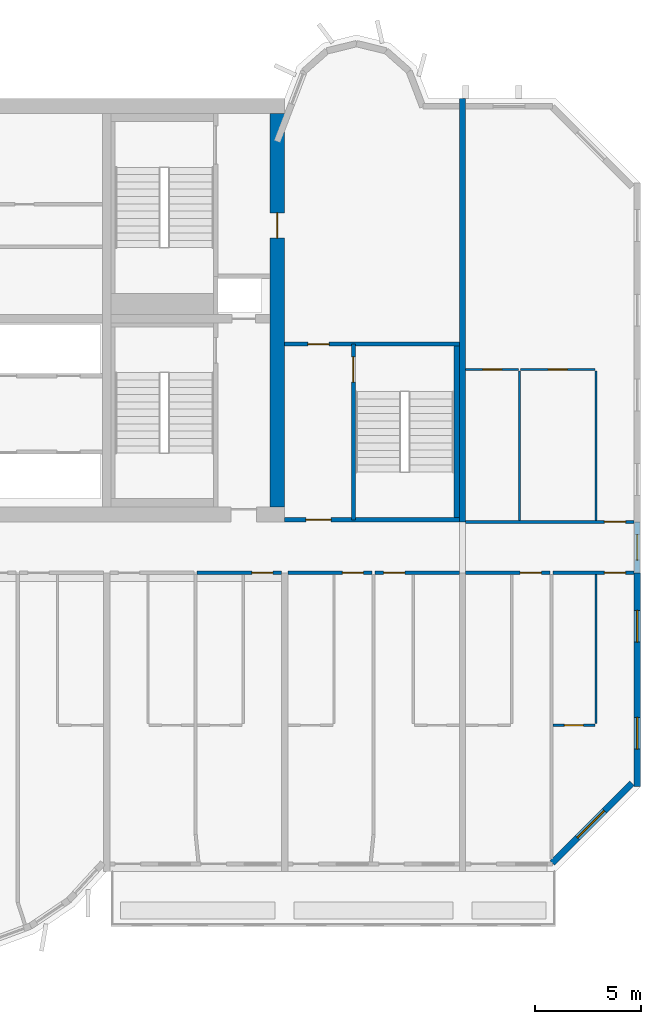
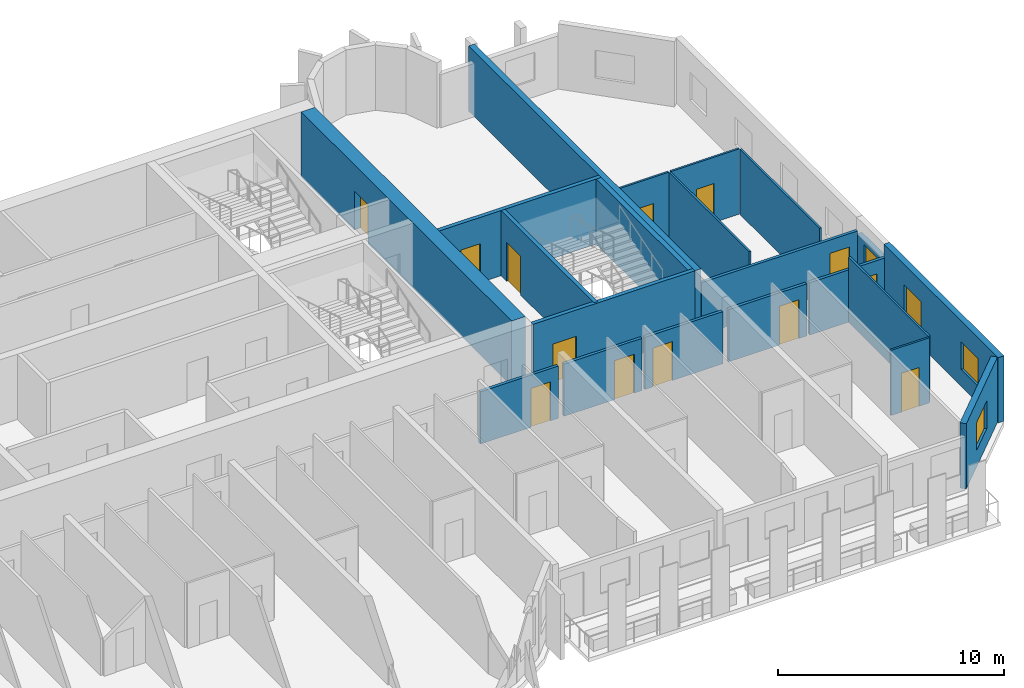
# One storey, part 9 of 13: 21 walls, 13 doors, 4 windows, 17 openings.
"""IFC4 building model written with IfcOpenShell, lengths in metres."""

from ifc_helpers import new_model, si_unit, direction, frame, frame_2d, origin, place, context, subcontext, project, spatial, rectangle, extrude, source, transform, mapped, material, layer, layer_set, type_object, element, fill, save


model = new_model("IFC4")

# Units and contexts
model_context = context("Model", 3, precision=1e-05, world=origin(), true_north=direction((0.0, 1.0)))
body_context = subcontext(model_context, "Body", "Model", "MODEL_VIEW")
ifc_project = project(units=[si_unit("LENGTHUNIT", "METRE"), si_unit("AREAUNIT", "SQUARE_METRE"), si_unit("VOLUMEUNIT", "CUBIC_METRE"), si_unit("PLANEANGLEUNIT", "RADIAN"), si_unit("MASSUNIT", "GRAM", prefix="KILO")], contexts=[model_context])

# Site, building, storey
site_placement = place(None, origin())
site = spatial("IfcSite", under=ifc_project, at=site_placement, CompositionType="ELEMENT")
building_placement = place(site_placement, origin())
building = spatial("IfcBuilding", under=site, at=building_placement, Name="Vanashikhar Sky Hotel", CompositionType="ELEMENT")
storey_placement = place(building_placement, frame((0.0, 0.0, 182.0)))
storey = spatial("IfcBuildingStorey", under=building, at=storey_placement, Name="L44", CompositionType="ELEMENT", Elevation=182.0)

# Wall, opening, door
ifc_material_1 = material(Name="Concrete M60", Category="concrete")
ifc_layer_1 = layer(ifc_material_1, 0.699951171875)
ifc_layer_set_1 = layer_set([ifc_layer_1], Name="RC core shell wall 700 Concrete M60")
wall_type_1 = type_object("IfcWallType", Name="RC core shell wall 700 Concrete M60", PredefinedType="SHEAR", material=ifc_layer_set_1)
shared_shape_1 = source(origin(), body_context, "Body", "SweptSolid", [
    extrude(rectangle(XDim=18.60009765625, YDim=0.699951171875, at=frame_2d((9.300048828125, 0.0))), origin(), (0.0, 0.0, 1.0), 3.52001953125),
])
wall_1_placement = place(storey_placement, frame((75.25, 22.699951171875, 0.0), z_axis=(0.0, 0.0, 1.0), x_axis=(0.0, 1.0, 0.0)))
wall_1 = element("IfcWall", 1, at=wall_1_placement, inside=storey, type_object=wall_type_1, Name="KW-L44-KE", PredefinedType="SHEAR", context=body_context, shape_type="MappedRepresentation", body=[
    mapped(shared_shape_1, transform((0.0, 0.0, 0.0), scale=1.0)),
])
shared_shape_2 = source(origin(), body_context, "Body", "SweptSolid", [
    extrude(rectangle(XDim=1.199951171875, YDim=2.10009765625, at=frame_2d((0.60009765625, 1.050048828125))), frame((0.0, 0.35986328125, 0.0), z_axis=(0.0, -1.0, 0.0), x_axis=(1.0, 0.0, 0.0)), (0.0, 0.0, 1.0), 0.719970703125),
])
opening_1_placement = place(wall_1_placement, frame((12.699951171875, 0.0, 0.0)))
opening_1 = element("IfcOpeningElement", 2, at=opening_1_placement, cuts=wall_1, Name="Opening DC-4-D", PredefinedType="OPENING", context=body_context, shape_type="MappedRepresentation", body=[
    mapped(shared_shape_2, transform((0.0, 0.0, 0.0), scale=1.0)),
])
ifc_material_2 = material(Name="Steel", Category="steel")
door_type_1 = type_object("IfcDoorType", Name="Service door 1200 FD120", OperationType="NOTDEFINED", PredefinedType="DOOR", material=ifc_material_2)
shared_shape_3 = source(origin(), body_context, "Body", "SweptSolid", [
    extrude(rectangle(XDim=1.199951171875, YDim=2.10009765625, at=frame_2d((0.60009765625, 1.050048828125))), frame((0.0, 0.02490234375, 0.0), z_axis=(0.0, -1.0, 0.0), x_axis=(1.0, 0.0, 0.0)), (0.0, 0.0, 1.0), 0.050048828125),
])
door_1_placement = place(opening_1_placement, origin())
door_1 = element("IfcDoor", 3, at=door_1_placement, inside=storey, type_object=door_type_1, Name="Service door 1200 FD120", OperationType="SINGLE_SWING_LEFT", OverallHeight=2.10009765625, OverallWidth=1.199951171875, PredefinedType="DOOR", context=body_context, shape_type="MappedRepresentation", body=[
    mapped(shared_shape_3, transform((0.0, 0.0, 0.0), scale=1.0)),
])
fill(opening_1, door_1)

# Wall, openings, windows
ifc_layer_2 = layer(ifc_material_1, 0.300048828125)
ifc_layer_set_2 = layer_set([ifc_layer_2], Name="RC shear wall 300 Concrete M60")
wall_type_2 = type_object("IfcWallType", Name="RC shear wall 300 Concrete M60", PredefinedType="SHEAR", material=ifc_layer_set_2)
shared_shape_4 = source(origin(), body_context, "Body", "SweptSolid", [
    extrude(rectangle(XDim=10.10009765625, YDim=0.300048828125, at=frame_2d((5.050048828125, 0.0))), origin(), (0.0, 0.0, 1.0), 3.52001953125),
])
wall_2_placement = place(storey_placement, frame((92.25, 9.5, 0.0), z_axis=(0.0, 0.0, 1.0), x_axis=(0.0, 1.0, 0.0)))
wall_2 = element("IfcWall", 4, at=wall_2_placement, inside=storey, type_object=wall_type_2, Name="CW-L44-XW12-1", PredefinedType="SHEAR", context=body_context, shape_type="MappedRepresentation", body=[
    mapped(shared_shape_4, transform((0.0, 0.0, 0.0), scale=1.0)),
])
shared_shape_5 = source(origin(), body_context, "Body", "SweptSolid", [
    extrude(rectangle(XDim=1.5, YDim=1.5, at=frame_2d((0.75, 0.75))), frame((0.0, 0.16015625, 0.0), z_axis=(0.0, -1.0, 0.0), x_axis=(1.0, 0.0, 0.0)), (0.0, 0.0, 1.0), 0.320068359375),
])
opening_2_placement = place(wall_2_placement, frame((1.77490234375, 0.0, 0.89990234375)))
opening_2 = element("IfcOpeningElement", 5, at=opening_2_placement, cuts=wall_2, Name="Opening WN-1", PredefinedType="OPENING", context=body_context, shape_type="MappedRepresentation", body=[
    mapped(shared_shape_5, transform((0.0, 0.0, 0.0), scale=1.0)),
])
opening_3_placement = place(wall_2_placement, frame((6.824951171875, 0.0, 0.89990234375)))
opening_3 = element("IfcOpeningElement", 6, at=opening_3_placement, cuts=wall_2, Name="Opening WN-1", PredefinedType="OPENING", context=body_context, shape_type="MappedRepresentation", body=[
    mapped(shared_shape_5, transform((0.0, 0.0, 0.0), scale=1.0)),
])
ifc_material_3 = material(Name="Glass", Category="glass")
window_type_1 = type_object("IfcWindowType", Name="Window 1500 x 1500", PartitioningType="SINGLE_PANEL", PredefinedType="WINDOW", material=ifc_material_3)
shared_shape_6 = source(origin(), body_context, "Body", "SweptSolid", [
    extrude(rectangle(XDim=1.5, YDim=1.5, at=frame_2d((0.75, 0.75))), frame((0.0, 0.030029296875, 0.0), z_axis=(0.0, -1.0, 0.0), x_axis=(1.0, 0.0, 0.0)), (0.0, 0.0, 1.0), 0.06005859375),
])
window_1_placement = place(opening_2_placement, origin())
window_1 = element("IfcWindow", 7, at=window_1_placement, inside=storey, type_object=window_type_1, Name="Window WN-1", OverallHeight=1.5, OverallWidth=1.5, PartitioningType="SINGLE_PANEL", PredefinedType="WINDOW", context=body_context, shape_type="MappedRepresentation", body=[
    mapped(shared_shape_6, transform((0.0, 0.0, 0.0), scale=1.0)),
])
fill(opening_2, window_1)
window_2_placement = place(opening_3_placement, origin())
window_2 = element("IfcWindow", 8, at=window_2_placement, inside=storey, type_object=window_type_1, Name="Window WN-1", OverallHeight=1.5, OverallWidth=1.5, PartitioningType="SINGLE_PANEL", PredefinedType="WINDOW", context=body_context, shape_type="MappedRepresentation", body=[
    mapped(shared_shape_6, transform((0.0, 0.0, 0.0), scale=1.0)),
])
fill(opening_3, window_2)

# Wall
shared_shape_7 = source(origin(), body_context, "Body", "SweptSolid", [
    extrude(rectangle(XDim=20.0, YDim=0.300048828125, at=frame_2d((10.0, 0.0))), origin(), (0.0, 0.0, 1.0), 3.52001953125),
])
wall_3_placement = place(storey_placement, frame((84.0, 22.0, 0.0), z_axis=(0.0, 0.0, 1.0), x_axis=(0.0, 1.0, 0.0)))
element("IfcWall", 9, at=wall_3_placement, inside=storey, type_object=wall_type_2, Name="CW-L44-XW11-2", PredefinedType="SHEAR", context=body_context, shape_type="MappedRepresentation", body=[
    mapped(shared_shape_7, transform((0.0, 0.0, 0.0), scale=1.0)),
])

# Wall, opening, window
ifc_material_4 = material(Name="Concrete M50", Category="concrete")
ifc_layer_3 = layer(ifc_material_4, 0.300048828125)
ifc_layer_set_3 = layer_set([ifc_layer_3], Name="Lobe wall 300")
wall_type_3 = type_object("IfcWallType", Name="Lobe wall 300", PredefinedType="SOLIDWALL", material=ifc_layer_set_3)
shared_shape_8 = source(origin(), body_context, "Body", "SweptSolid", [
    extrude(rectangle(XDim=5.32568359375, YDim=0.300048828125, at=frame_2d((2.662841796875, 0.0))), origin(), (0.0, 0.0, 1.0), 3.52001953125),
])
wall_4_placement = place(storey_placement, frame((88.234375, 5.89990234375, 0.0), z_axis=(0.0, 0.0, 1.0), x_axis=(0.707083859269, 0.707129702361, 0.0)))
wall_4 = element("IfcWall", 10, at=wall_4_placement, inside=storey, type_object=wall_type_3, Name="Corner wall", PredefinedType="SOLIDWALL", context=body_context, shape_type="MappedRepresentation", body=[
    mapped(shared_shape_8, transform((0.0, 0.0, 0.0), scale=1.0)),
])
shared_shape_9 = source(origin(), body_context, "Body", "SweptSolid", [
    extrude(rectangle(XDim=1.800048828125, YDim=1.5, at=frame_2d((0.89990234375, 0.75))), frame((0.0, 0.16015625, 0.0), z_axis=(0.0, -1.0, 0.0), x_axis=(1.0, 0.0, 0.0)), (0.0, 0.0, 1.0), 0.320068359375),
])
opening_4_placement = place(wall_4_placement, frame((1.689453125, 0.0, 0.89990234375)))
opening_4 = element("IfcOpeningElement", 11, at=opening_4_placement, cuts=wall_4, Name="Opening WN-4", PredefinedType="OPENING", context=body_context, shape_type="MappedRepresentation", body=[
    mapped(shared_shape_9, transform((0.0, 0.0, 0.0), scale=1.0)),
])
window_type_2 = type_object("IfcWindowType", Name="Corner window 1800 x 1500", PartitioningType="SINGLE_PANEL", PredefinedType="WINDOW", material=ifc_material_3)
shared_shape_10 = source(origin(), body_context, "Body", "SweptSolid", [
    extrude(rectangle(XDim=1.800048828125, YDim=1.5, at=frame_2d((0.89990234375, 0.75))), frame((0.0, 0.030029296875, 0.0), z_axis=(0.0, -1.0, 0.0), x_axis=(1.0, 0.0, 0.0)), (0.0, 0.0, 1.0), 0.06005859375),
])
window_3_placement = place(opening_4_placement, origin())
window_3 = element("IfcWindow", 12, at=window_3_placement, inside=storey, type_object=window_type_2, Name="Window WN-4", OverallHeight=1.5, OverallWidth=1.800048828125, PartitioningType="SINGLE_PANEL", PredefinedType="WINDOW", context=body_context, shape_type="MappedRepresentation", body=[
    mapped(shared_shape_10, transform((0.0, 0.0, 0.0), scale=1.0)),
])
fill(opening_4, window_3)

ifc_layer_4 = layer(ifc_material_4, 0.25)
ifc_layer_set_4 = layer_set([ifc_layer_4], Name="Rear and end board-marked wall 250")
wall_type_4 = type_object("IfcWallType", Name="Rear and end board-marked wall 250", PredefinedType="SOLIDWALL", material=ifc_layer_set_4)
shared_shape_11 = source(origin(), body_context, "Body", "SweptSolid", [
    extrude(rectangle(XDim=2.39990234375, YDim=0.25, at=frame_2d((1.199951171875, 0.0))), origin(), (0.0, 0.0, 1.0), 2.6201171875),
])
wall_5_placement = place(storey_placement, frame((92.25, 19.60009765625, 0.0), z_axis=(0.0, 0.0, 1.0), x_axis=(0.0, 1.0, 0.0)))
wall_5 = element("IfcWall", 13, at=wall_5_placement, inside=storey, type_object=wall_type_4, Name="End corridor infill wall", PredefinedType="SOLIDWALL", context=body_context, shape_type="MappedRepresentation", body=[
    mapped(shared_shape_11, transform((0.0, 0.0, 0.0), scale=1.0)),
])
shared_shape_12 = source(origin(), body_context, "Body", "SweptSolid", [
    extrude(rectangle(XDim=1.199951171875, YDim=1.5, at=frame_2d((0.60009765625, 0.75))), frame((0.0, 0.135009765625, 0.0), z_axis=(0.0, -1.0, 0.0), x_axis=(1.0, 0.0, 0.0)), (0.0, 0.0, 1.0), 0.27001953125),
])
opening_5_placement = place(wall_5_placement, frame((0.60009765625, 0.0, 0.89990234375)))
opening_5 = element("IfcOpeningElement", 14, at=opening_5_placement, cuts=wall_5, Name="Opening WN-3", PredefinedType="OPENING", context=body_context, shape_type="MappedRepresentation", body=[
    mapped(shared_shape_12, transform((0.0, 0.0, 0.0), scale=1.0)),
])
window_type_3 = type_object("IfcWindowType", Name="Corridor end window 1200 x 1500", PartitioningType="SINGLE_PANEL", PredefinedType="WINDOW", material=ifc_material_3)
shared_shape_13 = source(origin(), body_context, "Body", "SweptSolid", [
    extrude(rectangle(XDim=1.199951171875, YDim=1.5, at=frame_2d((0.60009765625, 0.75))), frame((0.0, 0.030029296875, 0.0), z_axis=(0.0, -1.0, 0.0), x_axis=(1.0, 0.0, 0.0)), (0.0, 0.0, 1.0), 0.06005859375),
])
window_4_placement = place(opening_5_placement, origin())
window_4 = element("IfcWindow", 15, at=window_4_placement, inside=storey, type_object=window_type_3, Name="Window WN-3", OverallHeight=1.5, OverallWidth=1.199951171875, PartitioningType="SINGLE_PANEL", PredefinedType="WINDOW", context=body_context, shape_type="MappedRepresentation", body=[
    mapped(shared_shape_13, transform((0.0, 0.0, 0.0), scale=1.0)),
])
fill(opening_5, window_4)

# Wall, opening, door
ifc_layer_5 = layer(ifc_material_4, 0.199951171875)
ifc_layer_set_5 = layer_set([ifc_layer_5], Name="Stair wall 200")
wall_type_5 = type_object("IfcWallType", Name="Stair wall 200", PredefinedType="SOLIDWALL", material=ifc_layer_set_5)
shared_shape_14 = source(origin(), body_context, "Body", "SweptSolid", [
    extrude(rectangle(XDim=8.2998046875, YDim=0.199951171875, at=frame_2d((4.14990234375, 0.0))), origin(), (0.0, 0.0, 1.0), 3.52001953125),
])
wall_6_placement = place(storey_placement, frame((78.85009765625, 22.10009765625, 0.0), z_axis=(0.0, 0.0, 1.0), x_axis=(0.0, 1.0, 0.0)))
wall_6 = element("IfcWall", 16, at=wall_6_placement, inside=storey, type_object=wall_type_5, Name="Stair wall 200", PredefinedType="SOLIDWALL", context=body_context, shape_type="MappedRepresentation", body=[
    mapped(shared_shape_14, transform((0.0, 0.0, 0.0), scale=1.0)),
])
shared_shape_15 = source(origin(), body_context, "Body", "SweptSolid", [
    extrude(rectangle(XDim=1.199951171875, YDim=2.10009765625, at=frame_2d((0.60009765625, 1.050048828125))), frame((0.0, 0.10986328125, 0.0), z_axis=(0.0, -1.0, 0.0), x_axis=(1.0, 0.0, 0.0)), (0.0, 0.0, 1.0), 0.219970703125),
])
opening_6_placement = place(wall_6_placement, frame((6.5, 0.0, 0.0)))
opening_6 = element("IfcOpeningElement", 17, at=opening_6_placement, cuts=wall_6, Name="Opening DC-1", PredefinedType="OPENING", context=body_context, shape_type="MappedRepresentation", body=[
    mapped(shared_shape_15, transform((0.0, 0.0, 0.0), scale=1.0)),
])
door_type_2 = type_object("IfcDoorType", Name="Stair door 1200 FD120", OperationType="NOTDEFINED", PredefinedType="DOOR", material=ifc_material_2)
door_2_placement = place(opening_6_placement, origin())
door_2 = element("IfcDoor", 18, at=door_2_placement, inside=storey, type_object=door_type_2, Name="Stair door 1200 FD120", OperationType="SINGLE_SWING_LEFT", OverallHeight=2.10009765625, OverallWidth=1.199951171875, PredefinedType="DOOR", context=body_context, shape_type="MappedRepresentation", body=[
    mapped(shared_shape_3, transform((0.0, 0.0, 0.0), scale=1.0)),
])
fill(opening_6, door_2)

shared_shape_16 = source(origin(), body_context, "Body", "SweptSolid", [
    extrude(rectangle(XDim=8.25, YDim=0.199951171875, at=frame_2d((4.125, 0.0))), origin(), (0.0, 0.0, 1.0), 3.52001953125),
])
wall_7_placement = place(storey_placement, frame((83.85009765625, 22.10009765625, 0.0), z_axis=(0.0, 0.0, 1.0), x_axis=(-1.0, 0.0, 0.0)))
wall_7 = element("IfcWall", 19, at=wall_7_placement, inside=storey, type_object=wall_type_5, Name="Stair wall 200", PredefinedType="SOLIDWALL", context=body_context, shape_type="MappedRepresentation", body=[
    mapped(shared_shape_16, transform((0.0, 0.0, 0.0), scale=1.0)),
])
opening_7_placement = place(wall_7_placement, frame((6.050048828125, 0.0, 0.0)))
opening_7 = element("IfcOpeningElement", 20, at=opening_7_placement, cuts=wall_7, Name="Opening DC-2", PredefinedType="OPENING", context=body_context, shape_type="MappedRepresentation", body=[
    mapped(shared_shape_15, transform((0.0, 0.0, 0.0), scale=1.0)),
])
door_type_3 = type_object("IfcDoorType", Name="Firefighting lobby door 1200 FD120", OperationType="NOTDEFINED", PredefinedType="DOOR", material=ifc_material_2)
door_3_placement = place(opening_7_placement, origin())
door_3 = element("IfcDoor", 21, at=door_3_placement, inside=storey, type_object=door_type_3, Name="Firefighting lobby door 1200 FD120", OperationType="SINGLE_SWING_LEFT", OverallHeight=2.10009765625, OverallWidth=1.199951171875, PredefinedType="DOOR", context=body_context, shape_type="MappedRepresentation", body=[
    mapped(shared_shape_3, transform((0.0, 0.0, 0.0), scale=1.0)),
])
fill(opening_7, door_3)

wall_8_placement = place(storey_placement, frame((83.85009765625, 30.39990234375, 0.0), z_axis=(0.0, 0.0, 1.0), x_axis=(-1.0, 0.0, 0.0)))
wall_8 = element("IfcWall", 22, at=wall_8_placement, inside=storey, type_object=wall_type_5, Name="Stair wall 200", PredefinedType="SOLIDWALL", context=body_context, shape_type="MappedRepresentation", body=[
    mapped(shared_shape_16, transform((0.0, 0.0, 0.0), scale=1.0)),
])
shared_shape_17 = source(origin(), body_context, "Body", "SweptSolid", [
    extrude(rectangle(XDim=1.0, YDim=2.10009765625, at=frame_2d((0.5, 1.050048828125))), frame((0.0, 0.10986328125, 0.0), z_axis=(0.0, -1.0, 0.0), x_axis=(1.0, 0.0, 0.0)), (0.0, 0.0, 1.0), 0.219970703125),
])
opening_8_placement = place(wall_8_placement, frame((6.14990234375, 0.0, 0.0)))
opening_8 = element("IfcOpeningElement", 23, at=opening_8_placement, cuts=wall_8, Name="Opening DC-6", PredefinedType="OPENING", context=body_context, shape_type="MappedRepresentation", body=[
    mapped(shared_shape_17, transform((0.0, 0.0, 0.0), scale=1.0)),
])
door_type_4 = type_object("IfcDoorType", Name="Pocket door 1000 FD60", OperationType="NOTDEFINED", PredefinedType="DOOR", material=ifc_material_2)
shared_shape_18 = source(origin(), body_context, "Body", "SweptSolid", [
    extrude(rectangle(XDim=1.0, YDim=2.10009765625, at=frame_2d((0.5, 1.050048828125))), frame((0.0, 0.02490234375, 0.0), z_axis=(0.0, -1.0, 0.0), x_axis=(1.0, 0.0, 0.0)), (0.0, 0.0, 1.0), 0.050048828125),
])
door_4_placement = place(opening_8_placement, origin())
door_4 = element("IfcDoor", 24, at=door_4_placement, inside=storey, type_object=door_type_4, Name="Pocket door 1000 FD60", OperationType="SINGLE_SWING_LEFT", OverallHeight=2.10009765625, OverallWidth=1.0, PredefinedType="DOOR", context=body_context, shape_type="MappedRepresentation", body=[
    mapped(shared_shape_18, transform((0.0, 0.0, 0.0), scale=1.0)),
])
fill(opening_8, door_4)

# Walls
ifc_layer_6 = layer(ifc_material_4, 0.25)
ifc_layer_set_6 = layer_set([ifc_layer_6], Name="Stair infill wall 250")
wall_type_6 = type_object("IfcWallType", Name="Stair infill wall 250", PredefinedType="SOLIDWALL", material=ifc_layer_set_6)
shared_shape_19 = source(origin(), body_context, "Body", "SweptSolid", [
    extrude(rectangle(XDim=8.10009765625, YDim=0.25, at=frame_2d((4.050048828125, 0.0))), origin(), (0.0, 0.0, 1.0), 3.52001953125),
])
wall_9_placement = place(storey_placement, frame((83.72509765625, 22.199951171875, 0.0), z_axis=(0.0, 0.0, 1.0), x_axis=(0.0, 1.0, 0.0)))
element("IfcWall", 25, at=wall_9_placement, inside=storey, type_object=wall_type_6, Name="Stair infill wall 250", PredefinedType="SOLIDWALL", context=body_context, shape_type="MappedRepresentation", body=[
    mapped(shared_shape_19, transform((0.0, 0.0, 0.0), scale=1.0)),
])
ifc_material_5 = material(Name="Gypsum plasterboard partition")
ifc_layer_7 = layer(ifc_material_5, 0.10009765625)
ifc_layer_set_7 = layer_set([ifc_layer_7], Name="Wet room partition 100")
wall_type_7 = type_object("IfcWallType", Name="Wet room partition 100", PredefinedType="PARTITIONING", material=ifc_layer_set_7)
shared_shape_20 = source(origin(), body_context, "Body", "SweptSolid", [
    extrude(rectangle(XDim=7.0498046875, YDim=0.10009765625, at=frame_2d((3.52490234375, 0.0))), origin(), (0.0, 0.0, 1.0), 3.52001953125),
])
wall_10_placement = place(storey_placement, frame((90.300048828125, 12.47509765625, 0.0), z_axis=(0.0, 0.0, 1.0), x_axis=(0.0, 1.0, 0.0)))
element("IfcWall", 26, at=wall_10_placement, inside=storey, type_object=wall_type_7, Name="W-L44-PW065", PredefinedType="PARTITIONING", context=body_context, shape_type="MappedRepresentation", body=[
    mapped(shared_shape_20, transform((0.0, 0.0, 0.0), scale=1.0)),
])
shared_shape_21 = source(origin(), body_context, "Body", "SweptSolid", [
    extrude(rectangle(XDim=7.050048828125, YDim=0.10009765625, at=frame_2d((3.52490234375, 0.0))), origin(), (0.0, 0.0, 1.0), 3.52001953125),
])
for number, where, z_axis, x_axis, name in (
    (27, (90.300048828125, 22.074951171875, 0.0), (0.0, 0.0, 1.0), (0.0, 1.0, 0.0), "W-L44-PW078"),
    (28, (86.699951171875, 22.074951171875, 0.0), (0.0, 0.0, 1.0), (0.0, 1.0, 0.0), "W-L44-PW079"),
):
    element("IfcWall", number, at=place(storey_placement, frame(where, z_axis=z_axis, x_axis=x_axis)), inside=storey, type_object=wall_type_7, Name=name, PredefinedType="PARTITIONING", context=body_context, shape_type="MappedRepresentation", body=[
        mapped(shared_shape_21, transform((0.0, 0.0, 0.0), scale=1.0)),
    ])

# Wall, opening, door
shared_shape_22 = source(origin(), body_context, "Body", "SweptSolid", [
    extrude(rectangle(XDim=3.5, YDim=0.10009765625, at=frame_2d((1.75, 0.0))), origin(), (0.0, 0.0, 1.0), 3.52001953125),
])
wall_11_placement = place(storey_placement, frame((86.75, 29.199951171875, 0.0), z_axis=(0.0, 0.0, 1.0), x_axis=(1.0, 0.0, 0.0)))
wall_11 = element("IfcWall", 29, at=wall_11_placement, inside=storey, type_object=wall_type_7, Name="W-L44-PW080", PredefinedType="PARTITIONING", context=body_context, shape_type="MappedRepresentation", body=[
    mapped(shared_shape_22, transform((0.0, 0.0, 0.0), scale=1.0)),
])
shared_shape_23 = source(origin(), body_context, "Body", "SweptSolid", [
    extrude(rectangle(XDim=0.89990234375, YDim=2.10009765625, at=frame_2d((0.449951171875, 1.050048828125))), frame((0.0, 0.06005859375, 0.0), z_axis=(0.0, -1.0, 0.0), x_axis=(1.0, 0.0, 0.0)), (0.0, 0.0, 1.0), 0.1201171875),
])
opening_9_placement = place(wall_11_placement, frame((1.300048828125, 0.0, 0.0)))
opening_9 = element("IfcOpeningElement", 30, at=opening_9_placement, cuts=wall_11, Name="Opening D-02", PredefinedType="OPENING", context=body_context, shape_type="MappedRepresentation", body=[
    mapped(shared_shape_23, transform((0.0, 0.0, 0.0), scale=1.0)),
])
ifc_material_6 = material(Name="Timber door", Category="wood")
door_type_5 = type_object("IfcDoorType", Name="Internal door 900", OperationType="NOTDEFINED", PredefinedType="DOOR", material=ifc_material_6)
shared_shape_24 = source(origin(), body_context, "Body", "SweptSolid", [
    extrude(rectangle(XDim=0.89990234375, YDim=2.10009765625, at=frame_2d((0.449951171875, 1.050048828125))), frame((0.0, 0.02490234375, 0.0), z_axis=(0.0, -1.0, 0.0), x_axis=(1.0, 0.0, 0.0)), (0.0, 0.0, 1.0), 0.050048828125),
])
door_5_placement = place(opening_9_placement, origin())
door_5 = element("IfcDoor", 31, at=door_5_placement, inside=storey, type_object=door_type_5, Name="D-L44-044", OperationType="SINGLE_SWING_RIGHT", OverallHeight=2.10009765625, OverallWidth=0.89990234375, PredefinedType="DOOR", context=body_context, shape_type="MappedRepresentation", body=[
    mapped(shared_shape_24, transform((0.0, 0.0, 0.0), scale=1.0)),
])
fill(opening_9, door_5)

shared_shape_25 = source(origin(), body_context, "Body", "SweptSolid", [
    extrude(rectangle(XDim=2.5, YDim=0.10009765625, at=frame_2d((1.25, 0.0))), origin(), (0.0, 0.0, 1.0), 3.52001953125),
])
wall_12_placement = place(storey_placement, frame((84.14990234375, 29.199951171875, 0.0), z_axis=(0.0, 0.0, 1.0), x_axis=(1.0, 0.0, 0.0)))
wall_12 = element("IfcWall", 32, at=wall_12_placement, inside=storey, type_object=wall_type_7, Name="W-L44-PW081", PredefinedType="PARTITIONING", context=body_context, shape_type="MappedRepresentation", body=[
    mapped(shared_shape_25, transform((0.0, 0.0, 0.0), scale=1.0)),
])
opening_10_placement = place(wall_12_placement, frame((0.800048828125, 0.0, 0.0)))
opening_10 = element("IfcOpeningElement", 33, at=opening_10_placement, cuts=wall_12, Name="Opening D-02", PredefinedType="OPENING", context=body_context, shape_type="MappedRepresentation", body=[
    mapped(shared_shape_23, transform((0.0, 0.0, 0.0), scale=1.0)),
])
door_6_placement = place(opening_10_placement, origin())
door_6 = element("IfcDoor", 34, at=door_6_placement, inside=storey, type_object=door_type_5, Name="D-L44-045", OperationType="SINGLE_SWING_RIGHT", OverallHeight=2.10009765625, OverallWidth=0.89990234375, PredefinedType="DOOR", context=body_context, shape_type="MappedRepresentation", body=[
    mapped(shared_shape_24, transform((0.0, 0.0, 0.0), scale=1.0)),
])
fill(opening_10, door_6)

ifc_layer_8 = layer(ifc_material_5, 0.14990234375)
ifc_layer_set_8 = layer_set([ifc_layer_8], Name="Corridor and demising partition 150")
wall_type_8 = type_object("IfcWallType", Name="Corridor and demising partition 150", PredefinedType="PARTITIONING", material=ifc_layer_set_8)
shared_shape_26 = source(origin(), body_context, "Body", "SweptSolid", [
    extrude(rectangle(XDim=7.9501953125, YDim=0.14990234375, at=frame_2d((3.97509765625, 0.0))), origin(), (0.0, 0.0, 1.0), 2.820068359375),
])
wall_13_placement = place(storey_placement, frame((84.14990234375, 22.0, 0.0), z_axis=(0.0, 0.0, 1.0), x_axis=(1.0, 0.0, 0.0)))
wall_13 = element("IfcWall", 35, at=wall_13_placement, inside=storey, type_object=wall_type_8, Name="W-L44-PW082", PredefinedType="PARTITIONING", context=body_context, shape_type="MappedRepresentation", body=[
    mapped(shared_shape_26, transform((0.0, 0.0, 0.0), scale=1.0)),
])
shared_shape_27 = source(origin(), body_context, "Body", "SweptSolid", [
    extrude(rectangle(XDim=1.0, YDim=2.10009765625, at=frame_2d((0.5, 1.050048828125))), frame((0.0, 0.0849609375, 0.0), z_axis=(0.0, -1.0, 0.0), x_axis=(1.0, 0.0, 0.0)), (0.0, 0.0, 1.0), 0.169921875),
])
opening_11_placement = place(wall_13_placement, frame((6.550048828125, 0.0, 0.0)))
opening_11 = element("IfcOpeningElement", 36, at=opening_11_placement, cuts=wall_13, Name="Opening D-01", PredefinedType="OPENING", context=body_context, shape_type="MappedRepresentation", body=[
    mapped(shared_shape_27, transform((0.0, 0.0, 0.0), scale=1.0)),
])
ifc_material_7 = material(Name="Timber fire door", Category="wood")
door_type_6 = type_object("IfcDoorType", Name="Guest entry door 1000 FD30S", OperationType="NOTDEFINED", PredefinedType="DOOR", material=ifc_material_7)
door_7_placement = place(opening_11_placement, origin())
door_7 = element("IfcDoor", 37, at=door_7_placement, inside=storey, type_object=door_type_6, Name="D-L44-046", OperationType="SINGLE_SWING_RIGHT", OverallHeight=2.10009765625, OverallWidth=1.0, PredefinedType="DOOR", context=body_context, shape_type="MappedRepresentation", body=[
    mapped(shared_shape_18, transform((0.0, 0.0, 0.0), scale=1.0)),
])
fill(opening_11, door_7)

shared_shape_28 = source(origin(), body_context, "Body", "SweptSolid", [
    extrude(rectangle(XDim=1.97509765625, YDim=0.10009765625, at=frame_2d((0.987548828125, 0.0))), origin(), (0.0, 0.0, 1.0), 3.52001953125),
])
wall_14_placement = place(storey_placement, frame((88.27490234375, 12.39990234375, 0.0), z_axis=(0.0, 0.0, 1.0), x_axis=(1.0, 0.0, 0.0)))
wall_14 = element("IfcWall", 38, at=wall_14_placement, inside=storey, type_object=wall_type_7, Name="W-L44-PW066", PredefinedType="PARTITIONING", context=body_context, shape_type="MappedRepresentation", body=[
    mapped(shared_shape_28, transform((0.0, 0.0, 0.0), scale=1.0)),
])
opening_12_placement = place(wall_14_placement, frame((0.537109375, 0.0, 0.0)))
opening_12 = element("IfcOpeningElement", 39, at=opening_12_placement, cuts=wall_14, Name="Opening D-02", PredefinedType="OPENING", context=body_context, shape_type="MappedRepresentation", body=[
    mapped(shared_shape_23, transform((0.0, 0.0, 0.0), scale=1.0)),
])
door_8_placement = place(opening_12_placement, origin())
door_8 = element("IfcDoor", 40, at=door_8_placement, inside=storey, type_object=door_type_5, Name="D-L44-038", OperationType="SINGLE_SWING_RIGHT", OverallHeight=2.10009765625, OverallWidth=0.89990234375, PredefinedType="DOOR", context=body_context, shape_type="MappedRepresentation", body=[
    mapped(shared_shape_24, transform((0.0, 0.0, 0.0), scale=1.0)),
])
fill(opening_12, door_8)

shared_shape_29 = source(origin(), body_context, "Body", "SweptSolid", [
    extrude(rectangle(XDim=3.974853515625, YDim=0.14990234375, at=frame_2d((1.9873046875, 0.0))), origin(), (0.0, 0.0, 1.0), 2.820068359375),
])
wall_15_placement = place(storey_placement, frame((71.47509765625, 19.60009765625, 0.0), z_axis=(0.0, 0.0, 1.0), x_axis=(1.0, 0.0, 0.0)))
wall_15 = element("IfcWall", 41, at=wall_15_placement, inside=storey, type_object=wall_type_8, Name="W-L44-PW053", PredefinedType="PARTITIONING", context=body_context, shape_type="MappedRepresentation", body=[
    mapped(shared_shape_29, transform((0.0, 0.0, 0.0), scale=1.0)),
])
opening_13_placement = place(wall_15_placement, frame((2.574951171875, 0.0, 0.0)))
opening_13 = element("IfcOpeningElement", 42, at=opening_13_placement, cuts=wall_15, Name="Opening D-01", PredefinedType="OPENING", context=body_context, shape_type="MappedRepresentation", body=[
    mapped(shared_shape_27, transform((0.0, 0.0, 0.0), scale=1.0)),
])
door_9_placement = place(opening_13_placement, origin())
door_9 = element("IfcDoor", 43, at=door_9_placement, inside=storey, type_object=door_type_6, Name="D-L44-031", OperationType="SINGLE_SWING_RIGHT", OverallHeight=2.10009765625, OverallWidth=1.0, PredefinedType="DOOR", context=body_context, shape_type="MappedRepresentation", body=[
    mapped(shared_shape_18, transform((0.0, 0.0, 0.0), scale=1.0)),
])
fill(opening_13, door_9)

shared_shape_30 = source(origin(), body_context, "Body", "SweptSolid", [
    extrude(rectangle(XDim=3.97509765625, YDim=0.14990234375, at=frame_2d((1.987548828125, 0.0))), origin(), (0.0, 0.0, 1.0), 2.820068359375),
])
wall_16_placement = place(storey_placement, frame((75.75, 19.60009765625, 0.0), z_axis=(0.0, 0.0, 1.0), x_axis=(1.0, 0.0, 0.0)))
wall_16 = element("IfcWall", 44, at=wall_16_placement, inside=storey, type_object=wall_type_8, Name="W-L44-PW057", PredefinedType="PARTITIONING", context=body_context, shape_type="MappedRepresentation", body=[
    mapped(shared_shape_30, transform((0.0, 0.0, 0.0), scale=1.0)),
])
opening_14_placement = place(wall_16_placement, frame((2.574951171875, 0.0, 0.0)))
opening_14 = element("IfcOpeningElement", 45, at=opening_14_placement, cuts=wall_16, Name="Opening D-01", PredefinedType="OPENING", context=body_context, shape_type="MappedRepresentation", body=[
    mapped(shared_shape_27, transform((0.0, 0.0, 0.0), scale=1.0)),
])
door_10_placement = place(opening_14_placement, origin())
door_10 = element("IfcDoor", 46, at=door_10_placement, inside=storey, type_object=door_type_6, Name="D-L44-033", OperationType="SINGLE_SWING_RIGHT", OverallHeight=2.10009765625, OverallWidth=1.0, PredefinedType="DOOR", context=body_context, shape_type="MappedRepresentation", body=[
    mapped(shared_shape_18, transform((0.0, 0.0, 0.0), scale=1.0)),
])
fill(opening_14, door_10)

wall_17_placement = place(storey_placement, frame((79.875, 19.60009765625, 0.0), z_axis=(0.0, 0.0, 1.0), x_axis=(1.0, 0.0, 0.0)))
wall_17 = element("IfcWall", 47, at=wall_17_placement, inside=storey, type_object=wall_type_8, Name="W-L44-PW060", PredefinedType="PARTITIONING", context=body_context, shape_type="MappedRepresentation", body=[
    mapped(shared_shape_30, transform((0.0, 0.0, 0.0), scale=1.0)),
])
opening_15_placement = place(wall_17_placement, frame((0.39990234375, 0.0, 0.0)))
opening_15 = element("IfcOpeningElement", 48, at=opening_15_placement, cuts=wall_17, Name="Opening D-01", PredefinedType="OPENING", context=body_context, shape_type="MappedRepresentation", body=[
    mapped(shared_shape_27, transform((0.0, 0.0, 0.0), scale=1.0)),
])
door_11_placement = place(opening_15_placement, origin())
door_11 = element("IfcDoor", 49, at=door_11_placement, inside=storey, type_object=door_type_6, Name="D-L44-035", OperationType="SINGLE_SWING_LEFT", OverallHeight=2.10009765625, OverallWidth=1.0, PredefinedType="DOOR", context=body_context, shape_type="MappedRepresentation", body=[
    mapped(shared_shape_18, transform((0.0, 0.0, 0.0), scale=1.0)),
])
fill(opening_15, door_11)

wall_18_placement = place(storey_placement, frame((84.14990234375, 19.60009765625, 0.0), z_axis=(0.0, 0.0, 1.0), x_axis=(1.0, 0.0, 0.0)))
wall_18 = element("IfcWall", 50, at=wall_18_placement, inside=storey, type_object=wall_type_8, Name="W-L44-PW064", PredefinedType="PARTITIONING", context=body_context, shape_type="MappedRepresentation", body=[
    mapped(shared_shape_30, transform((0.0, 0.0, 0.0), scale=1.0)),
])
opening_16_placement = place(wall_18_placement, frame((2.574951171875, 0.0, 0.0)))
opening_16 = element("IfcOpeningElement", 51, at=opening_16_placement, cuts=wall_18, Name="Opening D-01", PredefinedType="OPENING", context=body_context, shape_type="MappedRepresentation", body=[
    mapped(shared_shape_27, transform((0.0, 0.0, 0.0), scale=1.0)),
])
door_12_placement = place(opening_16_placement, origin())
door_12 = element("IfcDoor", 52, at=door_12_placement, inside=storey, type_object=door_type_6, Name="D-L44-037", OperationType="SINGLE_SWING_RIGHT", OverallHeight=2.10009765625, OverallWidth=1.0, PredefinedType="DOOR", context=body_context, shape_type="MappedRepresentation", body=[
    mapped(shared_shape_18, transform((0.0, 0.0, 0.0), scale=1.0)),
])
fill(opening_16, door_12)

shared_shape_31 = source(origin(), body_context, "Body", "SweptSolid", [
    extrude(rectangle(XDim=3.8251953125, YDim=0.14990234375, at=frame_2d((1.91259765625, 0.0))), origin(), (0.0, 0.0, 1.0), 2.820068359375),
])
wall_19_placement = place(storey_placement, frame((88.27490234375, 19.60009765625, 0.0), z_axis=(0.0, 0.0, 1.0), x_axis=(1.0, 0.0, 0.0)))
wall_19 = element("IfcWall", 53, at=wall_19_placement, inside=storey, type_object=wall_type_8, Name="W-L44-PW067", PredefinedType="PARTITIONING", context=body_context, shape_type="MappedRepresentation", body=[
    mapped(shared_shape_31, transform((0.0, 0.0, 0.0), scale=1.0)),
])
opening_17_placement = place(wall_19_placement, frame((2.425048828125, 0.0, 0.0)))
opening_17 = element("IfcOpeningElement", 54, at=opening_17_placement, cuts=wall_19, Name="Opening D-01", PredefinedType="OPENING", context=body_context, shape_type="MappedRepresentation", body=[
    mapped(shared_shape_27, transform((0.0, 0.0, 0.0), scale=1.0)),
])
door_13_placement = place(opening_17_placement, origin())
door_13 = element("IfcDoor", 55, at=door_13_placement, inside=storey, type_object=door_type_6, Name="D-L44-039", OperationType="SINGLE_SWING_RIGHT", OverallHeight=2.10009765625, OverallWidth=1.0, PredefinedType="DOOR", context=body_context, shape_type="MappedRepresentation", body=[
    mapped(shared_shape_18, transform((0.0, 0.0, 0.0), scale=1.0)),
])
fill(opening_17, door_13)

save(model, "model.ifc")
